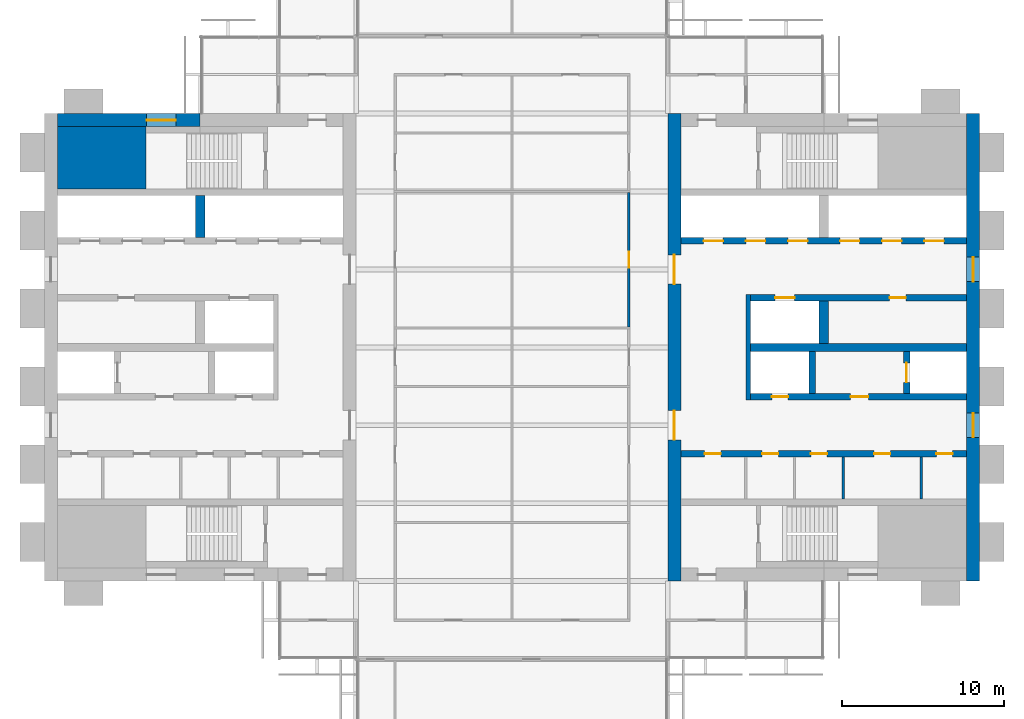
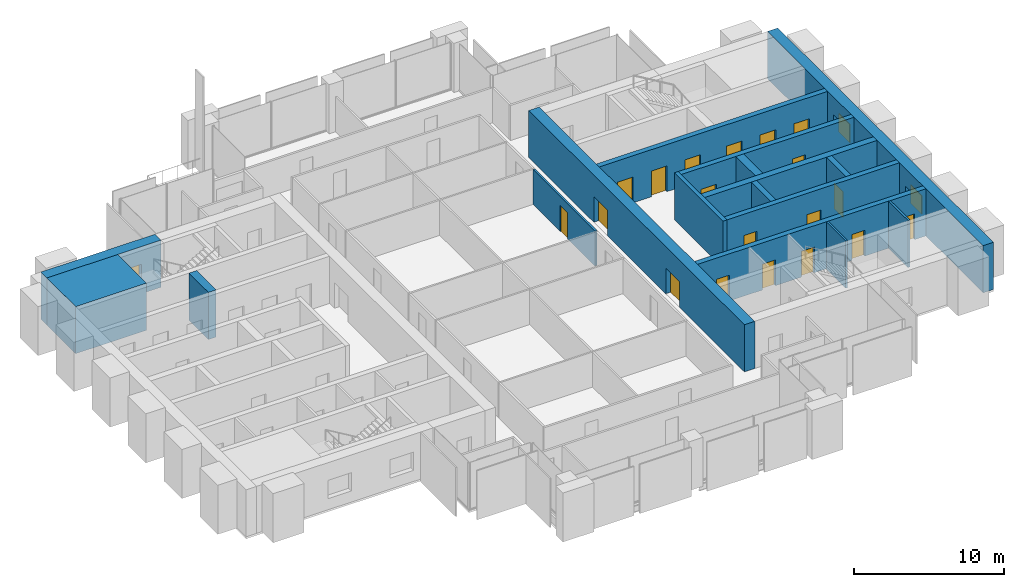
# One storey, part 10 of 13: 19 doors, 17 walls, 3 windows, 22 openings.
"""IFC4 building model written with IfcOpenShell, lengths in metres."""

import ifcopenshell
import ifcopenshell.guid

model = None  # the IFC model being written
_history = None  # IfcOwnerHistory: only IFC2X3 demands one
_inside = {}  # id of a spatial element -> (the spatial element, [elements in it])
_under = {}  # id of a project, library or spatial element -> (it, [spatial elements below it])
_declared = {}  # id of a project -> (the project, [libraries it declares])
_typed = {}  # id of a type object -> (the type object, [elements of that type])
_made_of = {}  # id of a material, layer set ... -> (it, [elements and type objects made of it])


def new_model(schema):
    """Start an empty IFC model of exactly this schema.

    Asked for "IFC4X3", IfcOpenShell would pick the latest addendum, in which some entities
    have other attributes; the version numbers below select the first issue.
    IFC2X3 requires an IfcOwnerHistory on every rooted entity: one is made here for all.
    """
    global model, _history
    if schema == "IFC4X3":
        model = ifcopenshell.file(schema_version=(4, 3, 0, 0))
    else:
        model = ifcopenshell.file(schema=schema)
    _inside.clear()
    _under.clear()
    _declared.clear()
    _typed.clear()
    _made_of.clear()
    _history = None
    if model.schema == "IFC2X3":
        org = make("IfcOrganization", Name="unknown")
        user = make(
            "IfcPersonAndOrganization",
            ThePerson=make("IfcPerson", FamilyName="unknown"),
            TheOrganization=org,
        )
        app = make(
            "IfcApplication",
            ApplicationDeveloper=org,
            Version="unknown",
            ApplicationFullName="unknown",
            ApplicationIdentifier="unknown",
        )
        _history = make(
            "IfcOwnerHistory",
            OwningUser=user,
            OwningApplication=app,
            ChangeAction="ADDED",
            CreationDate=0,
        )
    return model


def make(cls, **values):
    """One entity of the class cls with the attributes given. An attribute that is None is left unset."""
    return model.create_entity(
        cls, **{name: value for name, value in values.items() if value is not None}
    )


def rooted(cls, **values):
    """An entity with a GlobalId (a new one), such as an element, a storey or a relation."""
    return make(cls, GlobalId=ifcopenshell.guid.new(), OwnerHistory=_history, **values)


def si_unit(unit_type, name, prefix=None):
    """IfcSIUnit, for example si_unit("LENGTHUNIT", "METRE", prefix="MILLI")."""
    return make("IfcSIUnit", UnitType=unit_type, Prefix=prefix, Name=name)


def assignment(units):
    """IfcUnitAssignment: the units of a project."""
    return None if units is None else make("IfcUnitAssignment", Units=units)


def point(xyz):
    """IfcCartesianPoint."""
    return None if xyz is None else make("IfcCartesianPoint", Coordinates=xyz)


def direction(xyz):
    """IfcDirection."""
    return None if xyz is None else make("IfcDirection", DirectionRatios=xyz)


def frame(location, z_axis=None, x_axis=None):
    """IfcAxis2Placement3D, a coordinate frame: its origin and axes. An axis left out is left unset."""
    return make(
        "IfcAxis2Placement3D",
        Location=point(location),
        Axis=direction(z_axis),
        RefDirection=direction(x_axis),
    )


def frame_2d(location, x_axis=None):
    """IfcAxis2Placement2D, a coordinate frame in the plane: its origin and x axis."""
    return make(
        "IfcAxis2Placement2D", Location=point(location), RefDirection=direction(x_axis)
    )


def origin():
    """The frame at (0, 0, 0) with its axes left unset."""
    return frame((0.0, 0.0, 0.0))


def place(relative_to, where):
    """IfcLocalPlacement: puts the frame where relative to a parent placement (None: the world)."""
    return make(
        "IfcLocalPlacement", PlacementRelTo=relative_to, RelativePlacement=where
    )


def context(
    kind, dimensions, precision=None, world=None, true_north=None, identifier=None
):
    """IfcGeometricRepresentationContext, for example the 3D "Model" context."""
    return make(
        "IfcGeometricRepresentationContext",
        ContextIdentifier=identifier,
        ContextType=kind,
        CoordinateSpaceDimension=dimensions,
        Precision=precision,
        WorldCoordinateSystem=world,
        TrueNorth=true_north,
    )


def subcontext(parent, identifier, kind, view, scale=None):
    """IfcGeometricRepresentationSubContext, for example "Body" below "Model"."""
    return make(
        "IfcGeometricRepresentationSubContext",
        ContextIdentifier=identifier,
        ContextType=kind,
        ParentContext=parent,
        TargetScale=scale,
        TargetView=view,
    )


def project(units=None, contexts=None):
    """IfcProject with its units and contexts."""
    return rooted(
        "IfcProject",
        Name="project",
        RepresentationContexts=contexts,
        UnitsInContext=assignment(units),
    )


def spatial(cls, under=None, at=None, **own):
    """A site, building, storey or space (cls), placed at a placement, below another one or the project."""
    s = rooted(cls, ObjectPlacement=at, **own)
    if under is not None:
        _under.setdefault(under.id(), (under, []))[1].append(s)
    return s


def profile(cls, at=None, kind="AREA", **sizes):
    """A parametric profile (cls). Its sizes go by their IFC names, for example OverallWidth=200.0."""
    return make(cls, ProfileType=kind, Position=at, **sizes)


def rectangle(**sizes):
    """IfcRectangleProfileDef."""
    return profile("IfcRectangleProfileDef", **sizes)


def extrude(swept, where, along, depth):
    """IfcExtrudedAreaSolid: the profile swept, set in the frame where, extruded along a direction by depth."""
    return make(
        "IfcExtrudedAreaSolid",
        SweptArea=swept,
        Position=where,
        ExtrudedDirection=direction(along),
        Depth=depth,
    )


def shape(context_of_items, identifier, shape_type, items):
    """IfcShapeRepresentation: the items that make up one representation, for example the "Body"."""
    return make(
        "IfcShapeRepresentation",
        ContextOfItems=context_of_items,
        RepresentationIdentifier=identifier,
        RepresentationType=shape_type,
        Items=items,
    )


def material(Name=None, Category=None):
    """IfcMaterial."""
    return make("IfcMaterial", Name=Name, Category=Category)


def layer(
    of_material, thickness, ventilated=None, Name=None, Category=None, Priority=None
):
    """IfcMaterialLayer: one layer of a wall or slab, of a material (None: an air gap)."""
    return make(
        "IfcMaterialLayer",
        Material=of_material,
        LayerThickness=thickness,
        IsVentilated=ventilated,
        Name=Name,
        Category=Category,
        Priority=Priority,
    )


def layer_set(layers, Name=None):
    """IfcMaterialLayerSet."""
    return make("IfcMaterialLayerSet", MaterialLayers=layers, LayerSetName=Name)


def made_of(thing, what):
    """Note that an element or type object is made of a material, layer set ...; save() writes the relation."""
    if what is not None:
        _made_of.setdefault(what.id(), (what, []))[1].append(thing)
    return thing


def type_object(cls, material=None, **own):
    """A type object (cls), such as IfcWallType, which elements share."""
    return made_of(rooted(cls, **own), material)


def element(
    cls,
    number,
    at=None,
    inside=None,
    cuts=None,
    type_object=None,
    material=None,
    context=None,
    identifier="Body",
    shape_type=None,
    held_by="IfcProductDefinitionShape",
    body=None,
    shapes=None,
    **own,
):
    """One element of the class cls, such as IfcWall. Its Tag is "e" and its number.

    at: its placement. inside: the storey or other place that contains it. cuts: it is an
    opening in that element (IfcRelVoidsElement). A single representation is given by context,
    identifier, shape_type and body (its items); several are given by shapes. held_by: the class
    of the entity that holds the representations. save() writes the other relations.
    """
    e = rooted(cls, Tag="e%d" % number, ObjectPlacement=at, **own)
    if body is not None:
        shapes = [shape(context, identifier, shape_type, body)]
    if shapes is not None:
        e.Representation = make(held_by, Representations=shapes)
    if inside is not None:
        _inside.setdefault(inside.id(), (inside, []))[1].append(e)
    if cuts is not None:
        rooted(
            "IfcRelVoidsElement", RelatingBuildingElement=cuts, RelatedOpeningElement=e
        )
    if type_object is not None:
        _typed.setdefault(type_object.id(), (type_object, []))[1].append(e)
    return made_of(e, material)


def fill(opening, filler):
    """IfcRelFillsElement: the door or window that sits in an opening."""
    return rooted(
        "IfcRelFillsElement",
        RelatingOpeningElement=opening,
        RelatedBuildingElement=filler,
    )


def aggregate(whole, parts):
    """IfcRelAggregates: a whole, such as a stair, and the parts it consists of."""
    return rooted("IfcRelAggregates", RelatingObject=whole, RelatedObjects=parts)


def save(model, path):
    """Write the relations noted so far, then the file.

    IfcRelAggregates (storeys below a building ...), IfcRelContainedInSpatialStructure (elements
    in a storey), IfcRelDefinesByType, IfcRelAssociatesMaterial and IfcRelDeclares: one each for
    every whole, place, type object, material and project.
    """
    for whole, parts in _under.values():
        aggregate(whole, parts)
    for where, things in _inside.values():
        rooted(
            "IfcRelContainedInSpatialStructure",
            RelatedElements=things,
            RelatingStructure=where,
        )
    for kind, things in _typed.values():
        rooted("IfcRelDefinesByType", RelatedObjects=things, RelatingType=kind)
    for what, things in _made_of.values():
        rooted("IfcRelAssociatesMaterial", RelatedObjects=things, RelatingMaterial=what)
    for by, libraries in _declared.values():
        rooted("IfcRelDeclares", RelatingContext=by, RelatedDefinitions=libraries)
    model.write(path)


model = new_model("IFC4")

# Units and contexts
model_context = context("Model", 3, precision=1e-05, world=origin(), true_north=direction((0.0, 1.0)))
body_context = subcontext(model_context, "Body", "Model", "MODEL_VIEW")
ifc_project = project(units=[si_unit("LENGTHUNIT", "METRE"), si_unit("AREAUNIT", "SQUARE_METRE"), si_unit("VOLUMEUNIT", "CUBIC_METRE"), si_unit("PLANEANGLEUNIT", "RADIAN"), si_unit("MASSUNIT", "GRAM", prefix="KILO")], contexts=[model_context])

# Site, building, storey
site_placement = place(None, origin())
site = spatial("IfcSite", under=ifc_project, at=site_placement, CompositionType="ELEMENT")
building_placement = place(site_placement, origin())
building = spatial("IfcBuilding", under=site, at=building_placement, Name="Baori Bourse Tower", CompositionType="ELEMENT")
storey_placement = place(building_placement, frame((0.0, 0.0, 229.199951171875)))
storey = spatial("IfcBuildingStorey", under=building, at=storey_placement, Name="L50", CompositionType="ELEMENT", Elevation=229.199951171875)

# Walls
ifc_material_1 = material(Name="Concrete f'c 50 MPa", Category="concrete")
wall_type_1 = type_object("IfcWallType", Name="Core corner block f'c 50", PredefinedType="SHEAR", material=ifc_material_1)
wall_1_placement = place(storey_placement, frame((0.800048828125, 35.675048828125, 0.0), z_axis=(0.0, 0.0, 1.0), x_axis=(1.0, 0.0, 0.0)))
element("IfcWall", 1, at=wall_1_placement, inside=storey, type_object=wall_type_1, Name="Core wall W24", PredefinedType="SHEAR", context=body_context, shape_type="SweptSolid", body=[
    extrude(rectangle(XDim=5.449951171875, YDim=3.85009765625, at=frame_2d((2.72509765625, 0.0))), origin(), (0.0, 0.0, 1.0), 3.840087890625),
])
ifc_material_2 = material(Name="Blockwork partition", Category="masonry")
ifc_layer_1 = layer(ifc_material_2, 0.14990234375)
ifc_layer_set_1 = layer_set([ifc_layer_1], Name="Core partition 150")
wall_type_2 = type_object("IfcWallType", Name="Core partition 150", PredefinedType="PARTITIONING", material=ifc_layer_set_1)
for number, where, z_axis, x_axis, name in (
    (2, (54.0, 14.64990234375, 0.0), (0.0, 0.0, 1.0), (0.0, 1.0, 0.0), "Partition wall E10"),
    (3, (49.199951171875, 14.64990234375, 0.0), (0.0, 0.0, 1.0), (0.0, 1.0, 0.0), "Partition wall E11"),
):
    element("IfcWall", number, at=place(storey_placement, frame(where, z_axis=z_axis, x_axis=x_axis)), inside=storey, type_object=wall_type_2, Name=name, PredefinedType="PARTITIONING", context=body_context, shape_type="SweptSolid", body=[
        extrude(rectangle(XDim=2.60009765625, YDim=0.14990234375, at=frame_2d((1.300048828125, 0.0))), origin(), (0.0, 0.0, 1.0), 3.840087890625),
    ])

# Wall, opening, window
ifc_material_3 = material(Name="Concrete f'c 50 MPa", Category="concrete")
ifc_layer_2 = layer(ifc_material_3, 0.800048828125)
ifc_layer_set_2 = layer_set([ifc_layer_2], Name="Core wall 800 f'c 50")
wall_type_3 = type_object("IfcWallType", Name="Core wall 800 f'c 50", PredefinedType="SHEAR", material=ifc_layer_set_2)
wall_2_placement = place(storey_placement, frame((0.800048828125, 38.0, 0.0), z_axis=(0.0, 0.0, 1.0), x_axis=(1.0, 0.0, 0.0)))
wall_2 = element("IfcWall", 4, at=wall_2_placement, inside=storey, type_object=wall_type_3, Name="Core wall W28", PredefinedType="SHEAR", context=body_context, shape_type="SweptSolid", body=[
    extrude(rectangle(XDim=8.800048828125, YDim=0.800048828125, at=frame_2d((4.39990234375, 0.0))), origin(), (0.0, 0.0, 1.0), 3.840087890625),
])
opening_1_placement = place(wall_2_placement, frame((5.5, 0.0, 0.89990234375)))
opening_1 = element("IfcOpeningElement", 5, at=opening_1_placement, cuts=wall_2, Name="Opening L50-KW105", PredefinedType="OPENING", context=body_context, shape_type="SweptSolid", body=[
    extrude(rectangle(XDim=1.800048828125, YDim=1.5, at=frame_2d((0.89990234375, 0.75))), frame((0.0, 0.409912109375, 0.0), z_axis=(0.0, -1.0, 0.0), x_axis=(1.0, 0.0, 0.0)), (0.0, 0.0, 1.0), 0.820068359375),
])
ifc_material_4 = material(Name="Pale anodised aluminium", Category="aluminium")
window_type_1 = type_object("IfcWindowType", Name="Stair window 1800 x 1500", PartitioningType="SINGLE_PANEL", PredefinedType="WINDOW", material=ifc_material_4)
window_1_placement = place(opening_1_placement, origin())
window_1 = element("IfcWindow", 6, at=window_1_placement, inside=storey, type_object=window_type_1, Name="Stair window W L50 5", OverallHeight=1.5, OverallWidth=1.800048828125, PartitioningType="SINGLE_PANEL", PredefinedType="WINDOW", context=body_context, shape_type="SweptSolid", body=[
    extrude(rectangle(XDim=1.800048828125, YDim=1.5, at=frame_2d((0.89990234375, 0.75))), frame((0.0, 0.030029296875, 0.0), z_axis=(0.0, -1.0, 0.0), x_axis=(1.0, 0.0, 0.0)), (0.0, 0.0, 1.0), 0.06005859375),
])
fill(opening_1, window_1)

# Wall, openings, windows
wall_3_placement = place(storey_placement, frame((57.199951171875, 38.39990234375, 0.0), z_axis=(0.0, 0.0, 1.0), x_axis=(0.0, -1.0, 0.0)))
wall_3 = element("IfcWall", 7, at=wall_3_placement, inside=storey, type_object=wall_type_3, Name="Core wall E01", PredefinedType="SHEAR", context=body_context, shape_type="SweptSolid", body=[
    extrude(rectangle(XDim=28.7998046875, YDim=0.800048828125, at=frame_2d((14.39990234375, 0.0))), origin(), (0.0, 0.0, 1.0), 3.840087890625),
])
opening_2_placement = place(wall_3_placement, frame((18.449951171875, 0.0, 0.89990234375)))
opening_2 = element("IfcOpeningElement", 8, at=opening_2_placement, cuts=wall_3, Name="Opening L50-KW201", PredefinedType="OPENING", context=body_context, shape_type="SweptSolid", body=[
    extrude(rectangle(XDim=1.5, YDim=1.5, at=frame_2d((0.75, 0.75))), frame((0.0, 0.409912109375, 0.0), z_axis=(0.0, -1.0, 0.0), x_axis=(1.0, 0.0, 0.0)), (0.0, 0.0, 1.0), 0.820068359375),
])
opening_3_placement = place(wall_3_placement, frame((8.85009765625, 0.0, 0.89990234375)))
opening_3 = element("IfcOpeningElement", 9, at=opening_3_placement, cuts=wall_3, Name="Opening L50-KW202", PredefinedType="OPENING", context=body_context, shape_type="SweptSolid", body=[
    extrude(rectangle(XDim=1.5, YDim=1.5, at=frame_2d((0.75, 0.75))), frame((0.0, 0.409912109375, 0.0), z_axis=(0.0, -1.0, 0.0), x_axis=(1.0, 0.0, 0.0)), (0.0, 0.0, 1.0), 0.820068359375),
])
ifc_material_5 = material(Name="Pale anodised aluminium", Category="aluminium")
window_type_2 = type_object("IfcWindowType", Name="Lobby window 1500 x 1500", PartitioningType="SINGLE_PANEL", PredefinedType="WINDOW", material=ifc_material_5)
window_2_placement = place(opening_2_placement, origin())
window_2 = element("IfcWindow", 10, at=window_2_placement, inside=storey, type_object=window_type_2, Name="Outer wall window E L50 1", OverallHeight=1.5, OverallWidth=1.5, PartitioningType="SINGLE_PANEL", PredefinedType="WINDOW", context=body_context, shape_type="SweptSolid", body=[
    extrude(rectangle(XDim=1.5, YDim=1.5, at=frame_2d((0.75, 0.75))), frame((0.0, 0.030029296875, 0.0), z_axis=(0.0, -1.0, 0.0), x_axis=(1.0, 0.0, 0.0)), (0.0, 0.0, 1.0), 0.06005859375),
])
fill(opening_2, window_2)
window_3_placement = place(opening_3_placement, origin())
window_3 = element("IfcWindow", 11, at=window_3_placement, inside=storey, type_object=window_type_2, Name="Outer wall window E L50 2", OverallHeight=1.5, OverallWidth=1.5, PartitioningType="SINGLE_PANEL", PredefinedType="WINDOW", context=body_context, shape_type="SweptSolid", body=[
    extrude(rectangle(XDim=1.5, YDim=1.5, at=frame_2d((0.75, 0.75))), frame((0.0, 0.030029296875, 0.0), z_axis=(0.0, -1.0, 0.0), x_axis=(1.0, 0.0, 0.0)), (0.0, 0.0, 1.0), 0.06005859375),
])
fill(opening_3, window_3)

# Wall, openings, doors
wall_4_placement = place(storey_placement, frame((38.800048828125, 9.60009765625, 0.0), z_axis=(0.0, 0.0, 1.0), x_axis=(0.0, 1.0, 0.0)))
wall_4 = element("IfcWall", 12, at=wall_4_placement, inside=storey, type_object=wall_type_3, Name="Core wall E04", PredefinedType="SHEAR", context=body_context, shape_type="SweptSolid", body=[
    extrude(rectangle(XDim=28.7998046875, YDim=0.800048828125, at=frame_2d((14.39990234375, 0.0))), origin(), (0.0, 0.0, 1.0), 3.840087890625),
])
opening_4_placement = place(wall_4_placement, frame((8.699951171875, 0.0, 0.0)))
opening_4 = element("IfcOpeningElement", 13, at=opening_4_placement, cuts=wall_4, Name="Opening L50-D207", PredefinedType="OPENING", context=body_context, shape_type="SweptSolid", body=[
    extrude(rectangle(XDim=1.800048828125, YDim=2.10009765625, at=frame_2d((0.89990234375, 1.050048828125))), frame((0.0, 0.409912109375, 0.0), z_axis=(0.0, -1.0, 0.0), x_axis=(1.0, 0.0, 0.0)), (0.0, 0.0, 1.0), 0.820068359375),
])
opening_5_placement = place(wall_4_placement, frame((18.300048828125, 0.0, 0.0)))
opening_5 = element("IfcOpeningElement", 14, at=opening_5_placement, cuts=wall_4, Name="Opening L50-D208", PredefinedType="OPENING", context=body_context, shape_type="SweptSolid", body=[
    extrude(rectangle(XDim=1.800048828125, YDim=2.10009765625, at=frame_2d((0.89990234375, 1.050048828125))), frame((0.0, 0.409912109375, 0.0), z_axis=(0.0, -1.0, 0.0), x_axis=(1.0, 0.0, 0.0)), (0.0, 0.0, 1.0), 0.820068359375),
])
ifc_material_6 = material(Name="Painted steel door", Category="steel")
door_type_1 = type_object("IfcDoorType", Name="Core lobby door 1800", OperationType="DOUBLE_DOOR_SINGLE_SWING", PredefinedType="DOOR", material=ifc_material_6)
door_1_placement = place(opening_4_placement, origin())
door_1 = element("IfcDoor", 15, at=door_1_placement, inside=storey, type_object=door_type_1, Name="Lobby door E L50", OperationType="DOUBLE_DOOR_SINGLE_SWING", OverallHeight=2.10009765625, OverallWidth=1.800048828125, PredefinedType="DOOR", context=body_context, shape_type="SweptSolid", body=[
    extrude(rectangle(XDim=1.800048828125, YDim=2.10009765625, at=frame_2d((0.89990234375, 1.050048828125))), frame((0.0, 0.02490234375, 0.0), z_axis=(0.0, -1.0, 0.0), x_axis=(1.0, 0.0, 0.0)), (0.0, 0.0, 1.0), 0.050048828125),
])
fill(opening_4, door_1)
door_2_placement = place(opening_5_placement, origin())
door_2 = element("IfcDoor", 16, at=door_2_placement, inside=storey, type_object=door_type_1, Name="Lobby door E L50", OperationType="DOUBLE_DOOR_SINGLE_SWING", OverallHeight=2.10009765625, OverallWidth=1.800048828125, PredefinedType="DOOR", context=body_context, shape_type="SweptSolid", body=[
    extrude(rectangle(XDim=1.800048828125, YDim=2.10009765625, at=frame_2d((0.89990234375, 1.050048828125))), frame((0.0, 0.02490234375, 0.0), z_axis=(0.0, -1.0, 0.0), x_axis=(1.0, 0.0, 0.0)), (0.0, 0.0, 1.0), 0.050048828125),
])
fill(opening_5, door_2)

# Wall, opening, door
ifc_material_7 = material(Name="Gypsum board partition")
ifc_layer_3 = layer(ifc_material_7, 0.14990234375)
ifc_layer_set_3 = layer_set([ifc_layer_3], Name="Corridor partition 150")
wall_type_4 = type_object("IfcWallType", Name="Corridor partition 150", PredefinedType="PARTITIONING", material=ifc_layer_set_3)
wall_5_placement = place(storey_placement, frame((36.0, 25.262451171875, 0.0), z_axis=(0.0, 0.0, 1.0), x_axis=(0.0, 1.0, 0.0)))
wall_5 = element("IfcWall", 17, at=wall_5_placement, inside=storey, type_object=wall_type_4, Name="Partition", PredefinedType="PARTITIONING", context=body_context, shape_type="SweptSolid", body=[
    extrude(rectangle(XDim=8.275146484375, YDim=0.14990234375, at=frame_2d((4.1376953125, 0.0))), origin(), (0.0, 0.0, 1.0), 2.849365234375),
])
opening_6_placement = place(wall_5_placement, frame((3.637451171875, 0.0, 0.0)))
opening_6 = element("IfcOpeningElement", 18, at=opening_6_placement, cuts=wall_5, Name="Opening L50-D20", PredefinedType="OPENING", context=body_context, shape_type="SweptSolid", body=[
    extrude(rectangle(XDim=1.0, YDim=2.10009765625, at=frame_2d((0.5, 1.050048828125))), frame((0.0, 0.0849609375, 0.0), z_axis=(0.0, -1.0, 0.0), x_axis=(1.0, 0.0, 0.0)), (0.0, 0.0, 1.0), 0.169921875),
])
ifc_material_8 = material(Name="Timber door leaf", Category="wood")
door_type_2 = type_object("IfcDoorType", Name="Door 1000 x 2100", OperationType="SINGLE_SWING_LEFT", PredefinedType="DOOR", material=ifc_material_8)
door_3_placement = place(opening_6_placement, origin())
door_3 = element("IfcDoor", 19, at=door_3_placement, inside=storey, type_object=door_type_2, Name="Door", OperationType="SINGLE_SWING_RIGHT", OverallHeight=2.10009765625, OverallWidth=1.0, PredefinedType="DOOR", context=body_context, shape_type="SweptSolid", body=[
    extrude(rectangle(XDim=1.0, YDim=2.10009765625, at=frame_2d((0.5, 1.050048828125))), frame((0.0, 0.02490234375, 0.0), z_axis=(0.0, -1.0, 0.0), x_axis=(1.0, 0.0, 0.0)), (0.0, 0.0, 1.0), 0.050048828125),
])
fill(opening_6, door_3)

# Wall
ifc_material_9 = material(Name="Concrete f'c 50 MPa", Category="concrete")
ifc_layer_4 = layer(ifc_material_9, 0.300048828125)
ifc_layer_set_4 = layer_set([ifc_layer_4], Name="Shaft wall 300 f'c 50")
wall_type_5 = type_object("IfcWallType", Name="Shaft wall 300 f'c 50", PredefinedType="SHEAR", material=ifc_layer_set_4)
wall_6_placement = place(storey_placement, frame((43.35009765625, 20.75, 0.0), z_axis=(0.0, 0.0, 1.0), x_axis=(0.0, 1.0, 0.0)))
element("IfcWall", 20, at=wall_6_placement, inside=storey, type_object=wall_type_5, Name="Core wall E16", PredefinedType="SHEAR", context=body_context, shape_type="SweptSolid", body=[
    extrude(rectangle(XDim=6.5, YDim=0.300048828125, at=frame_2d((3.25, 0.0))), origin(), (0.0, 0.0, 1.0), 3.840087890625),
])

# Wall, openings, doors
ifc_material_10 = material(Name="Concrete f'c 50 MPa", Category="concrete")
ifc_layer_5 = layer(ifc_material_10, 0.39990234375)
ifc_layer_set_5 = layer_set([ifc_layer_5], Name="Shaft wall 400 f'c 50")
wall_type_6 = type_object("IfcWallType", Name="Shaft wall 400 f'c 50", PredefinedType="SHEAR", material=ifc_layer_set_5)
wall_7_placement = place(storey_placement, frame((39.199951171875, 17.449951171875, 0.0), z_axis=(0.0, 0.0, 1.0), x_axis=(1.0, 0.0, 0.0)))
wall_7 = element("IfcWall", 21, at=wall_7_placement, inside=storey, type_object=wall_type_6, Name="Core wall E14", PredefinedType="SHEAR", context=body_context, shape_type="SweptSolid", body=[
    extrude(rectangle(XDim=17.60009765625, YDim=0.39990234375, at=frame_2d((8.800048828125, 0.0))), origin(), (0.0, 0.0, 1.0), 3.840087890625),
])
opening_7_placement = place(wall_7_placement, frame((15.737548828125, 0.0, 0.0)))
opening_7 = element("IfcOpeningElement", 22, at=opening_7_placement, cuts=wall_7, Name="Opening L50-D209", PredefinedType="OPENING", context=body_context, shape_type="SweptSolid", body=[
    extrude(rectangle(XDim=1.0, YDim=2.10009765625, at=frame_2d((0.5, 1.050048828125))), frame((0.0, 0.2099609375, 0.0), z_axis=(0.0, -1.0, 0.0), x_axis=(1.0, 0.0, 0.0)), (0.0, 0.0, 1.0), 0.419921875),
])
opening_8_placement = place(wall_7_placement, frame((11.89990234375, 0.0, 0.0)))
opening_8 = element("IfcOpeningElement", 23, at=opening_8_placement, cuts=wall_7, Name="Opening L50-D210", PredefinedType="OPENING", context=body_context, shape_type="SweptSolid", body=[
    extrude(rectangle(XDim=1.0, YDim=2.10009765625, at=frame_2d((0.5, 1.050048828125))), frame((0.0, 0.2099609375, 0.0), z_axis=(0.0, -1.0, 0.0), x_axis=(1.0, 0.0, 0.0)), (0.0, 0.0, 1.0), 0.419921875),
])
opening_9_placement = place(wall_7_placement, frame((8.0, 0.0, 0.0)))
opening_9 = element("IfcOpeningElement", 24, at=opening_9_placement, cuts=wall_7, Name="Opening L50-D211", PredefinedType="OPENING", context=body_context, shape_type="SweptSolid", body=[
    extrude(rectangle(XDim=1.0, YDim=2.10009765625, at=frame_2d((0.5, 1.050048828125))), frame((0.0, 0.2099609375, 0.0), z_axis=(0.0, -1.0, 0.0), x_axis=(1.0, 0.0, 0.0)), (0.0, 0.0, 1.0), 0.419921875),
])
opening_10_placement = place(wall_7_placement, frame((5.0, 0.0, 0.0)))
opening_10 = element("IfcOpeningElement", 25, at=opening_10_placement, cuts=wall_7, Name="Opening L50-D212", PredefinedType="OPENING", context=body_context, shape_type="SweptSolid", body=[
    extrude(rectangle(XDim=1.0, YDim=2.10009765625, at=frame_2d((0.5, 1.050048828125))), frame((0.0, 0.2099609375, 0.0), z_axis=(0.0, -1.0, 0.0), x_axis=(1.0, 0.0, 0.0)), (0.0, 0.0, 1.0), 0.419921875),
])
opening_11_placement = place(wall_7_placement, frame((1.46240234375, 0.0, 0.0)))
opening_11 = element("IfcOpeningElement", 26, at=opening_11_placement, cuts=wall_7, Name="Opening L50-D213", PredefinedType="OPENING", context=body_context, shape_type="SweptSolid", body=[
    extrude(rectangle(XDim=1.0, YDim=2.10009765625, at=frame_2d((0.5, 1.050048828125))), frame((0.0, 0.2099609375, 0.0), z_axis=(0.0, -1.0, 0.0), x_axis=(1.0, 0.0, 0.0)), (0.0, 0.0, 1.0), 0.419921875),
])
ifc_material_11 = material(Name="Painted steel door", Category="steel")
door_type_3 = type_object("IfcDoorType", Name="Core door 1000", OperationType="SINGLE_SWING_LEFT", PredefinedType="DOOR", material=ifc_material_11)
door_4_placement = place(opening_7_placement, origin())
door_4 = element("IfcDoor", 27, at=door_4_placement, inside=storey, type_object=door_type_3, Name="Store Room door E L50", OperationType="SINGLE_SWING_LEFT", OverallHeight=2.10009765625, OverallWidth=1.0, PredefinedType="DOOR", context=body_context, shape_type="SweptSolid", body=[
    extrude(rectangle(XDim=1.0, YDim=2.10009765625, at=frame_2d((0.5, 1.050048828125))), frame((0.0, 0.02490234375, 0.0), z_axis=(0.0, -1.0, 0.0), x_axis=(1.0, 0.0, 0.0)), (0.0, 0.0, 1.0), 0.050048828125),
])
fill(opening_7, door_4)
door_5_placement = place(opening_8_placement, origin())
door_5 = element("IfcDoor", 28, at=door_5_placement, inside=storey, type_object=door_type_3, Name="Men'S Wc door E L50", OperationType="SINGLE_SWING_LEFT", OverallHeight=2.10009765625, OverallWidth=1.0, PredefinedType="DOOR", context=body_context, shape_type="SweptSolid", body=[
    extrude(rectangle(XDim=1.0, YDim=2.10009765625, at=frame_2d((0.5, 1.050048828125))), frame((0.0, 0.02490234375, 0.0), z_axis=(0.0, -1.0, 0.0), x_axis=(1.0, 0.0, 0.0)), (0.0, 0.0, 1.0), 0.050048828125),
])
fill(opening_8, door_5)
door_6_placement = place(opening_9_placement, origin())
door_6 = element("IfcDoor", 29, at=door_6_placement, inside=storey, type_object=door_type_3, Name="Accessible Wc door E L50", OperationType="SINGLE_SWING_LEFT", OverallHeight=2.10009765625, OverallWidth=1.0, PredefinedType="DOOR", context=body_context, shape_type="SweptSolid", body=[
    extrude(rectangle(XDim=1.0, YDim=2.10009765625, at=frame_2d((0.5, 1.050048828125))), frame((0.0, 0.02490234375, 0.0), z_axis=(0.0, -1.0, 0.0), x_axis=(1.0, 0.0, 0.0)), (0.0, 0.0, 1.0), 0.050048828125),
])
fill(opening_9, door_6)
door_7_placement = place(opening_10_placement, origin())
door_7 = element("IfcDoor", 30, at=door_7_placement, inside=storey, type_object=door_type_3, Name="Janitor'S Closet door E L50", OperationType="SINGLE_SWING_LEFT", OverallHeight=2.10009765625, OverallWidth=1.0, PredefinedType="DOOR", context=body_context, shape_type="SweptSolid", body=[
    extrude(rectangle(XDim=1.0, YDim=2.10009765625, at=frame_2d((0.5, 1.050048828125))), frame((0.0, 0.02490234375, 0.0), z_axis=(0.0, -1.0, 0.0), x_axis=(1.0, 0.0, 0.0)), (0.0, 0.0, 1.0), 0.050048828125),
])
fill(opening_10, door_7)
door_8_placement = place(opening_11_placement, origin())
door_8 = element("IfcDoor", 31, at=door_8_placement, inside=storey, type_object=door_type_3, Name="Women'S Wc door E L50", OperationType="SINGLE_SWING_LEFT", OverallHeight=2.10009765625, OverallWidth=1.0, PredefinedType="DOOR", context=body_context, shape_type="SweptSolid", body=[
    extrude(rectangle(XDim=1.0, YDim=2.10009765625, at=frame_2d((0.5, 1.050048828125))), frame((0.0, 0.02490234375, 0.0), z_axis=(0.0, -1.0, 0.0), x_axis=(1.0, 0.0, 0.0)), (0.0, 0.0, 1.0), 0.050048828125),
])
fill(opening_11, door_8)

wall_8_placement = place(storey_placement, frame((43.5, 20.949951171875, 0.0), z_axis=(0.0, 0.0, 1.0), x_axis=(1.0, 0.0, 0.0)))
wall_8 = element("IfcWall", 32, at=wall_8_placement, inside=storey, type_object=wall_type_6, Name="Core wall E15", PredefinedType="SHEAR", context=body_context, shape_type="SweptSolid", body=[
    extrude(rectangle(XDim=13.300048828125, YDim=0.39990234375, at=frame_2d((6.64990234375, 0.0))), origin(), (0.0, 0.0, 1.0), 3.840087890625),
])
opening_12_placement = place(wall_8_placement, frame((6.14990234375, 0.0, 0.0)))
opening_12 = element("IfcOpeningElement", 33, at=opening_12_placement, cuts=wall_8, Name="Opening L50-D205", PredefinedType="OPENING", context=body_context, shape_type="SweptSolid", body=[
    extrude(rectangle(XDim=1.10009765625, YDim=2.10009765625, at=frame_2d((0.550048828125, 1.050048828125))), frame((0.0, 0.2099609375, 0.0), z_axis=(0.0, -1.0, 0.0), x_axis=(1.0, 0.0, 0.0)), (0.0, 0.0, 1.0), 0.419921875),
])
opening_13_placement = place(wall_8_placement, frame((1.300048828125, 0.0, 0.0)))
opening_13 = element("IfcOpeningElement", 34, at=opening_13_placement, cuts=wall_8, Name="Opening L50-D206", PredefinedType="OPENING", context=body_context, shape_type="SweptSolid", body=[
    extrude(rectangle(XDim=1.0, YDim=2.10009765625, at=frame_2d((0.5, 1.050048828125))), frame((0.0, 0.2099609375, 0.0), z_axis=(0.0, -1.0, 0.0), x_axis=(1.0, 0.0, 0.0)), (0.0, 0.0, 1.0), 0.419921875),
])
ifc_material_12 = material(Name="Painted steel door", Category="steel")
door_type_4 = type_object("IfcDoorType", Name="Lobby door 1100", OperationType="SINGLE_SWING_LEFT", PredefinedType="DOOR", material=ifc_material_12)
door_9_placement = place(opening_12_placement, origin())
door_9 = element("IfcDoor", 35, at=door_9_placement, inside=storey, type_object=door_type_4, Name="Firefighting lobby door E L50", OperationType="SINGLE_SWING_LEFT", OverallHeight=2.10009765625, OverallWidth=1.10009765625, PredefinedType="DOOR", context=body_context, shape_type="SweptSolid", body=[
    extrude(rectangle(XDim=1.10009765625, YDim=2.10009765625, at=frame_2d((0.550048828125, 1.050048828125))), frame((0.0, 0.02490234375, 0.0), z_axis=(0.0, -1.0, 0.0), x_axis=(1.0, 0.0, 0.0)), (0.0, 0.0, 1.0), 0.050048828125),
])
fill(opening_12, door_9)
ifc_material_13 = material(Name="Painted steel door", Category="steel")
door_type_5 = type_object("IfcDoorType", Name="Shaft door 1000", OperationType="SINGLE_SWING_LEFT", PredefinedType="DOOR", material=ifc_material_13)
door_10_placement = place(opening_13_placement, origin())
door_10 = element("IfcDoor", 36, at=door_10_placement, inside=storey, type_object=door_type_5, Name="Riser room door E L50", OperationType="SINGLE_SWING_LEFT", OverallHeight=2.10009765625, OverallWidth=1.0, PredefinedType="DOOR", context=body_context, shape_type="SweptSolid", body=[
    extrude(rectangle(XDim=1.0, YDim=2.10009765625, at=frame_2d((0.5, 1.050048828125))), frame((0.0, 0.02490234375, 0.0), z_axis=(0.0, -1.0, 0.0), x_axis=(1.0, 0.0, 0.0)), (0.0, 0.0, 1.0), 0.050048828125),
])
fill(opening_13, door_10)

# Wall, opening, door
wall_9_placement = place(storey_placement, frame((53.10009765625, 21.14990234375, 0.0), z_axis=(0.0, 0.0, 1.0), x_axis=(0.0, 1.0, 0.0)))
wall_9 = element("IfcWall", 37, at=wall_9_placement, inside=storey, type_object=wall_type_6, Name="Core wall E17", PredefinedType="SHEAR", context=body_context, shape_type="SweptSolid", body=[
    extrude(rectangle(XDim=2.60009765625, YDim=0.39990234375, at=frame_2d((1.300048828125, 0.0))), origin(), (0.0, 0.0, 1.0), 3.840087890625),
])
opening_14_placement = place(wall_9_placement, frame((0.699951171875, 0.0, 0.0)))
opening_14 = element("IfcOpeningElement", 38, at=opening_14_placement, cuts=wall_9, Name="Opening L50-D222", PredefinedType="OPENING", context=body_context, shape_type="SweptSolid", body=[
    extrude(rectangle(XDim=1.199951171875, YDim=2.10009765625, at=frame_2d((0.60009765625, 1.050048828125))), frame((0.0, 0.2099609375, 0.0), z_axis=(0.0, -1.0, 0.0), x_axis=(1.0, 0.0, 0.0)), (0.0, 0.0, 1.0), 0.419921875),
])
ifc_material_14 = material(Name="Stainless steel door", Category="steel")
door_type_6 = type_object("IfcDoorType", Name="Lift landing door", OperationType="DOUBLE_DOOR_SLIDING", PredefinedType="DOOR", material=ifc_material_14)
door_11_placement = place(opening_14_placement, origin())
door_11 = element("IfcDoor", 39, at=door_11_placement, inside=storey, type_object=door_type_6, Name="Lift landing door FF2 E L50", OperationType="DOUBLE_DOOR_SLIDING", OverallHeight=2.10009765625, OverallWidth=1.199951171875, PredefinedType="DOOR", context=body_context, shape_type="SweptSolid", body=[
    extrude(rectangle(XDim=1.199951171875, YDim=2.10009765625, at=frame_2d((0.60009765625, 1.050048828125))), frame((0.0, 0.02490234375, 0.0), z_axis=(0.0, -1.0, 0.0), x_axis=(1.0, 0.0, 0.0)), (0.0, 0.0, 1.0), 0.050048828125),
])
fill(opening_14, door_11)

# Wall
wall_10_placement = place(storey_placement, frame((47.300048828125, 21.14990234375, 0.0), z_axis=(0.0, 0.0, 1.0), x_axis=(0.0, 1.0, 0.0)))
element("IfcWall", 40, at=wall_10_placement, inside=storey, type_object=wall_type_6, Name="Core wall E18", PredefinedType="SHEAR", context=body_context, shape_type="SweptSolid", body=[
    extrude(rectangle(XDim=2.60009765625, YDim=0.39990234375, at=frame_2d((1.300048828125, 0.0))), origin(), (0.0, 0.0, 1.0), 3.840087890625),
])

# Wall, openings, doors
wall_11_placement = place(storey_placement, frame((43.5, 27.050048828125, 0.0), z_axis=(0.0, 0.0, 1.0), x_axis=(1.0, 0.0, 0.0)))
wall_11 = element("IfcWall", 41, at=wall_11_placement, inside=storey, type_object=wall_type_6, Name="Core wall E21", PredefinedType="SHEAR", context=body_context, shape_type="SweptSolid", body=[
    extrude(rectangle(XDim=13.300048828125, YDim=0.39990234375, at=frame_2d((6.64990234375, 0.0))), origin(), (0.0, 0.0, 1.0), 3.840087890625),
])
opening_15_placement = place(wall_11_placement, frame((8.550048828125, 0.0, 0.0)))
opening_15 = element("IfcOpeningElement", 42, at=opening_15_placement, cuts=wall_11, Name="Opening L50-D214", PredefinedType="OPENING", context=body_context, shape_type="SweptSolid", body=[
    extrude(rectangle(XDim=1.0, YDim=2.10009765625, at=frame_2d((0.5, 1.050048828125))), frame((0.0, 0.2099609375, 0.0), z_axis=(0.0, -1.0, 0.0), x_axis=(1.0, 0.0, 0.0)), (0.0, 0.0, 1.0), 0.419921875),
])
opening_16_placement = place(wall_11_placement, frame((1.5, 0.0, 0.0)))
opening_16 = element("IfcOpeningElement", 43, at=opening_16_placement, cuts=wall_11, Name="Opening L50-D221", PredefinedType="OPENING", context=body_context, shape_type="SweptSolid", body=[
    extrude(rectangle(XDim=1.199951171875, YDim=2.10009765625, at=frame_2d((0.60009765625, 1.050048828125))), frame((0.0, 0.2099609375, 0.0), z_axis=(0.0, -1.0, 0.0), x_axis=(1.0, 0.0, 0.0)), (0.0, 0.0, 1.0), 0.419921875),
])
door_12_placement = place(opening_15_placement, origin())
door_12 = element("IfcDoor", 44, at=door_12_placement, inside=storey, type_object=door_type_3, Name="Store Room door E L50", OperationType="SINGLE_SWING_LEFT", OverallHeight=2.10009765625, OverallWidth=1.0, PredefinedType="DOOR", context=body_context, shape_type="SweptSolid", body=[
    extrude(rectangle(XDim=1.0, YDim=2.10009765625, at=frame_2d((0.5, 1.050048828125))), frame((0.0, 0.02490234375, 0.0), z_axis=(0.0, -1.0, 0.0), x_axis=(1.0, 0.0, 0.0)), (0.0, 0.0, 1.0), 0.050048828125),
])
fill(opening_15, door_12)
door_13_placement = place(opening_16_placement, origin())
door_13 = element("IfcDoor", 45, at=door_13_placement, inside=storey, type_object=door_type_6, Name="Lift landing door SV1 E L50", OperationType="DOUBLE_DOOR_SLIDING", OverallHeight=2.10009765625, OverallWidth=1.199951171875, PredefinedType="DOOR", context=body_context, shape_type="SweptSolid", body=[
    extrude(rectangle(XDim=1.199951171875, YDim=2.10009765625, at=frame_2d((0.60009765625, 1.050048828125))), frame((0.0, 0.02490234375, 0.0), z_axis=(0.0, -1.0, 0.0), x_axis=(1.0, 0.0, 0.0)), (0.0, 0.0, 1.0), 0.050048828125),
])
fill(opening_16, door_13)

wall_12_placement = place(storey_placement, frame((39.199951171875, 30.550048828125, 0.0), z_axis=(0.0, 0.0, 1.0), x_axis=(1.0, 0.0, 0.0)))
wall_12 = element("IfcWall", 46, at=wall_12_placement, inside=storey, type_object=wall_type_6, Name="Core wall E22", PredefinedType="SHEAR", context=body_context, shape_type="SweptSolid", body=[
    extrude(rectangle(XDim=17.60009765625, YDim=0.39990234375, at=frame_2d((8.800048828125, 0.0))), origin(), (0.0, 0.0, 1.0), 3.840087890625),
])
opening_17_placement = place(wall_12_placement, frame((15.0, 0.0, 0.0)))
opening_17 = element("IfcOpeningElement", 47, at=opening_17_placement, cuts=wall_12, Name="Opening L50-D215", PredefinedType="OPENING", context=body_context, shape_type="SweptSolid", body=[
    extrude(rectangle(XDim=1.199951171875, YDim=2.10009765625, at=frame_2d((0.60009765625, 1.050048828125))), frame((0.0, 0.2099609375, 0.0), z_axis=(0.0, -1.0, 0.0), x_axis=(1.0, 0.0, 0.0)), (0.0, 0.0, 1.0), 0.419921875),
])
opening_18_placement = place(wall_12_placement, frame((12.39990234375, 0.0, 0.0)))
opening_18 = element("IfcOpeningElement", 48, at=opening_18_placement, cuts=wall_12, Name="Opening L50-D216", PredefinedType="OPENING", context=body_context, shape_type="SweptSolid", body=[
    extrude(rectangle(XDim=1.199951171875, YDim=2.10009765625, at=frame_2d((0.60009765625, 1.050048828125))), frame((0.0, 0.2099609375, 0.0), z_axis=(0.0, -1.0, 0.0), x_axis=(1.0, 0.0, 0.0)), (0.0, 0.0, 1.0), 0.419921875),
])
opening_19_placement = place(wall_12_placement, frame((9.800048828125, 0.0, 0.0)))
opening_19 = element("IfcOpeningElement", 49, at=opening_19_placement, cuts=wall_12, Name="Opening L50-D217", PredefinedType="OPENING", context=body_context, shape_type="SweptSolid", body=[
    extrude(rectangle(XDim=1.199951171875, YDim=2.10009765625, at=frame_2d((0.60009765625, 1.050048828125))), frame((0.0, 0.2099609375, 0.0), z_axis=(0.0, -1.0, 0.0), x_axis=(1.0, 0.0, 0.0)), (0.0, 0.0, 1.0), 0.419921875),
])
opening_20_placement = place(wall_12_placement, frame((6.60009765625, 0.0, 0.0)))
opening_20 = element("IfcOpeningElement", 50, at=opening_20_placement, cuts=wall_12, Name="Opening L50-D218", PredefinedType="OPENING", context=body_context, shape_type="SweptSolid", body=[
    extrude(rectangle(XDim=1.199951171875, YDim=2.10009765625, at=frame_2d((0.60009765625, 1.050048828125))), frame((0.0, 0.2099609375, 0.0), z_axis=(0.0, -1.0, 0.0), x_axis=(1.0, 0.0, 0.0)), (0.0, 0.0, 1.0), 0.419921875),
])
opening_21_placement = place(wall_12_placement, frame((4.0, 0.0, 0.0)))
opening_21 = element("IfcOpeningElement", 51, at=opening_21_placement, cuts=wall_12, Name="Opening L50-D219", PredefinedType="OPENING", context=body_context, shape_type="SweptSolid", body=[
    extrude(rectangle(XDim=1.199951171875, YDim=2.10009765625, at=frame_2d((0.60009765625, 1.050048828125))), frame((0.0, 0.2099609375, 0.0), z_axis=(0.0, -1.0, 0.0), x_axis=(1.0, 0.0, 0.0)), (0.0, 0.0, 1.0), 0.419921875),
])
opening_22_placement = place(wall_12_placement, frame((1.39990234375, 0.0, 0.0)))
opening_22 = element("IfcOpeningElement", 52, at=opening_22_placement, cuts=wall_12, Name="Opening L50-D220", PredefinedType="OPENING", context=body_context, shape_type="SweptSolid", body=[
    extrude(rectangle(XDim=1.199951171875, YDim=2.10009765625, at=frame_2d((0.60009765625, 1.050048828125))), frame((0.0, 0.2099609375, 0.0), z_axis=(0.0, -1.0, 0.0), x_axis=(1.0, 0.0, 0.0)), (0.0, 0.0, 1.0), 0.419921875),
])
door_14_placement = place(opening_17_placement, origin())
door_14 = element("IfcDoor", 53, at=door_14_placement, inside=storey, type_object=door_type_6, Name="Lift landing door HR1 E L50", OperationType="DOUBLE_DOOR_SLIDING", OverallHeight=2.10009765625, OverallWidth=1.199951171875, PredefinedType="DOOR", context=body_context, shape_type="SweptSolid", body=[
    extrude(rectangle(XDim=1.199951171875, YDim=2.10009765625, at=frame_2d((0.60009765625, 1.050048828125))), frame((0.0, 0.02490234375, 0.0), z_axis=(0.0, -1.0, 0.0), x_axis=(1.0, 0.0, 0.0)), (0.0, 0.0, 1.0), 0.050048828125),
])
fill(opening_17, door_14)
door_15_placement = place(opening_18_placement, origin())
door_15 = element("IfcDoor", 54, at=door_15_placement, inside=storey, type_object=door_type_6, Name="Lift landing door HR2 E L50", OperationType="DOUBLE_DOOR_SLIDING", OverallHeight=2.10009765625, OverallWidth=1.199951171875, PredefinedType="DOOR", context=body_context, shape_type="SweptSolid", body=[
    extrude(rectangle(XDim=1.199951171875, YDim=2.10009765625, at=frame_2d((0.60009765625, 1.050048828125))), frame((0.0, 0.02490234375, 0.0), z_axis=(0.0, -1.0, 0.0), x_axis=(1.0, 0.0, 0.0)), (0.0, 0.0, 1.0), 0.050048828125),
])
fill(opening_18, door_15)
door_16_placement = place(opening_19_placement, origin())
door_16 = element("IfcDoor", 55, at=door_16_placement, inside=storey, type_object=door_type_6, Name="Lift landing door HR3 E L50", OperationType="DOUBLE_DOOR_SLIDING", OverallHeight=2.10009765625, OverallWidth=1.199951171875, PredefinedType="DOOR", context=body_context, shape_type="SweptSolid", body=[
    extrude(rectangle(XDim=1.199951171875, YDim=2.10009765625, at=frame_2d((0.60009765625, 1.050048828125))), frame((0.0, 0.02490234375, 0.0), z_axis=(0.0, -1.0, 0.0), x_axis=(1.0, 0.0, 0.0)), (0.0, 0.0, 1.0), 0.050048828125),
])
fill(opening_19, door_16)
door_17_placement = place(opening_20_placement, origin())
door_17 = element("IfcDoor", 56, at=door_17_placement, inside=storey, type_object=door_type_6, Name="Lift landing door HR4 E L50", OperationType="DOUBLE_DOOR_SLIDING", OverallHeight=2.10009765625, OverallWidth=1.199951171875, PredefinedType="DOOR", context=body_context, shape_type="SweptSolid", body=[
    extrude(rectangle(XDim=1.199951171875, YDim=2.10009765625, at=frame_2d((0.60009765625, 1.050048828125))), frame((0.0, 0.02490234375, 0.0), z_axis=(0.0, -1.0, 0.0), x_axis=(1.0, 0.0, 0.0)), (0.0, 0.0, 1.0), 0.050048828125),
])
fill(opening_20, door_17)
door_18_placement = place(opening_21_placement, origin())
door_18 = element("IfcDoor", 57, at=door_18_placement, inside=storey, type_object=door_type_6, Name="Lift landing door HR5 E L50", OperationType="DOUBLE_DOOR_SLIDING", OverallHeight=2.10009765625, OverallWidth=1.199951171875, PredefinedType="DOOR", context=body_context, shape_type="SweptSolid", body=[
    extrude(rectangle(XDim=1.199951171875, YDim=2.10009765625, at=frame_2d((0.60009765625, 1.050048828125))), frame((0.0, 0.02490234375, 0.0), z_axis=(0.0, -1.0, 0.0), x_axis=(1.0, 0.0, 0.0)), (0.0, 0.0, 1.0), 0.050048828125),
])
fill(opening_21, door_18)
door_19_placement = place(opening_22_placement, origin())
door_19 = element("IfcDoor", 58, at=door_19_placement, inside=storey, type_object=door_type_6, Name="Lift landing door HR6 E L50", OperationType="DOUBLE_DOOR_SLIDING", OverallHeight=2.10009765625, OverallWidth=1.199951171875, PredefinedType="DOOR", context=body_context, shape_type="SweptSolid", body=[
    extrude(rectangle(XDim=1.199951171875, YDim=2.10009765625, at=frame_2d((0.60009765625, 1.050048828125))), frame((0.0, 0.02490234375, 0.0), z_axis=(0.0, -1.0, 0.0), x_axis=(1.0, 0.0, 0.0)), (0.0, 0.0, 1.0), 0.050048828125),
])
fill(opening_22, door_19)

# Walls
ifc_material_15 = material(Name="Concrete f'c 50 MPa", Category="concrete")
ifc_layer_6 = layer(ifc_material_15, 0.5)
ifc_layer_set_6 = layer_set([ifc_layer_6], Name="Shaft wall 500 f'c 50")
wall_type_7 = type_object("IfcWallType", Name="Shaft wall 500 f'c 50", PredefinedType="SHEAR", material=ifc_layer_set_6)
wall_13_placement = place(storey_placement, frame((43.5, 24.0, 0.0), z_axis=(0.0, 0.0, 1.0), x_axis=(1.0, 0.0, 0.0)))
element("IfcWall", 59, at=wall_13_placement, inside=storey, type_object=wall_type_7, Name="Core wall E19", PredefinedType="SHEAR", context=body_context, shape_type="SweptSolid", body=[
    extrude(rectangle(XDim=13.300048828125, YDim=0.5, at=frame_2d((6.64990234375, 0.0))), origin(), (0.0, 0.0, 1.0), 3.840087890625),
])
ifc_material_16 = material(Name="Concrete f'c 50 MPa", Category="concrete")
ifc_layer_7 = layer(ifc_material_16, 0.60009765625)
ifc_layer_set_7 = layer_set([ifc_layer_7], Name="Shaft wall 600 f'c 50")
wall_type_8 = type_object("IfcWallType", Name="Shaft wall 600 f'c 50", PredefinedType="SHEAR", material=ifc_layer_set_7)
for number, where, z_axis, x_axis, name in (
    (60, (9.60009765625, 30.75, 0.0), (0.0, 0.0, 1.0), (0.0, 1.0, 0.0), "Core wall W22"),
    (61, (48.0, 24.25, 0.0), (0.0, 0.0, 1.0), (0.0, 1.0, 0.0), "Core wall E20"),
):
    element("IfcWall", number, at=place(storey_placement, frame(where, z_axis=z_axis, x_axis=x_axis)), inside=storey, type_object=wall_type_8, Name=name, PredefinedType="SHEAR", context=body_context, shape_type="SweptSolid", body=[
        extrude(rectangle(XDim=2.60009765625, YDim=0.60009765625, at=frame_2d((1.300048828125, 0.0))), origin(), (0.0, 0.0, 1.0), 3.840087890625),
    ])

save(model, "model.ifc")
